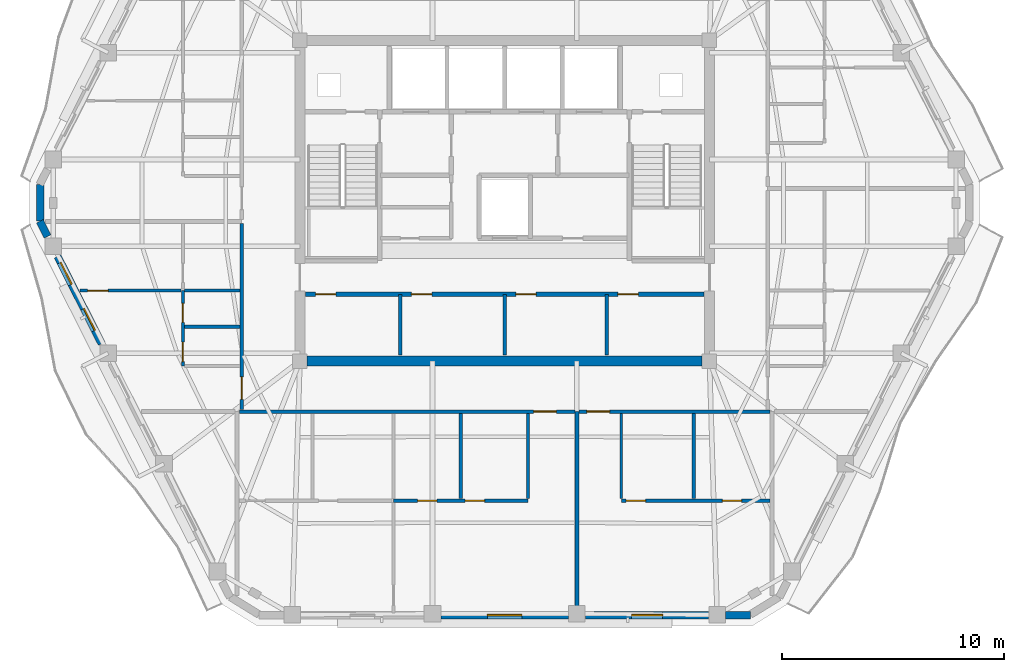
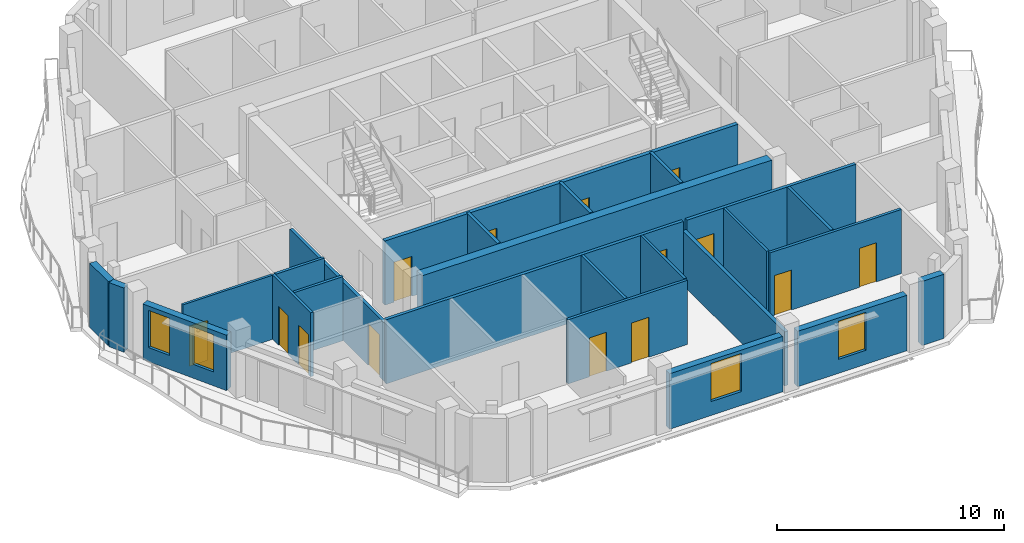
# One storey, part 4 of 11: 25 walls, 14 doors, 4 windows, 18 openings.
"""IFC4 building model written with IfcOpenShell, lengths in metres."""

from ifc_helpers import new_model, si_unit, direction, frame, frame_2d, origin, place, context, subcontext, project, spatial, rectangle, extrude, material, layer, layer_set, type_object, element, fill, save


model = new_model("IFC4")

# Units and contexts
model_context = context("Model", 3, precision=1e-05, world=origin(), true_north=direction((0.0, 1.0)))
body_context = subcontext(model_context, "Body", "Model", "MODEL_VIEW")
ifc_project = project(units=[si_unit("LENGTHUNIT", "METRE"), si_unit("AREAUNIT", "SQUARE_METRE"), si_unit("VOLUMEUNIT", "CUBIC_METRE"), si_unit("PLANEANGLEUNIT", "RADIAN"), si_unit("MASSUNIT", "GRAM", prefix="KILO")], contexts=[model_context])

# Site, building, storey
site_placement = place(None, origin())
site = spatial("IfcSite", under=ifc_project, at=site_placement, CompositionType="ELEMENT")
building_placement = place(site_placement, origin())
building = spatial("IfcBuilding", under=site, at=building_placement, Name="Cinnabar Lancet Tower", CompositionType="ELEMENT")
storey_placement = place(building_placement, frame((0.0, 0.0, 256.199951171875)))
storey = spatial("IfcBuildingStorey", under=building, at=storey_placement, Name="L68", CompositionType="ELEMENT", Elevation=256.199951171875)

# Walls
ifc_material_1 = material(Name="Acoustic twin-stud gypsum partition", Category="gypsum")
ifc_layer_1 = layer(ifc_material_1, 0.159912109375)
ifc_layer_set_1 = layer_set([ifc_layer_1], Name="Acoustic twin-stud gypsum partition")
wall_type_1 = type_object("IfcWallType", Name="ARC-WL-CORR-160", PredefinedType="PARTITIONING", material=ifc_layer_set_1)
for number, where, z_axis, x_axis, name in (
    (1, (27.699951171875, 18.949951171875, 0.0), (0.0, 0.0, 1.0), (0.0, 1.0, 0.0), "CW-SB-2770-L68"),
    (2, (32.39990234375, 18.949951171875, 0.0), (0.0, 0.0, 1.0), (0.0, 1.0, 0.0), "CW-SB-3240-L68"),
    (3, (37.0, 18.949951171875, 0.0), (0.0, 0.0, 1.0), (0.0, 1.0, 0.0), "CW-SB-3700-L68"),
):
    element("IfcWall", number, at=place(storey_placement, frame(where, z_axis=z_axis, x_axis=x_axis)), inside=storey, type_object=wall_type_1, Name=name, PredefinedType="PARTITIONING", context=body_context, shape_type="SweptSolid", body=[
        extrude(rectangle(XDim=2.72998046875, YDim=0.159912109375, at=frame_2d((1.364990234375, 0.0))), origin(), (0.0, 0.0, 1.0), 3.449951171875),
    ])

# Wall, opening, door
wall_1_placement = place(storey_placement, frame((20.445068359375, 16.39990234375, 0.0), z_axis=(0.0, 0.0, 1.0), x_axis=(1.0, 0.0, 0.0)))
wall_1 = element("IfcWall", 4, at=wall_1_placement, inside=storey, type_object=wall_type_1, Name="L68 Unit S01 Corridor Wall", PredefinedType="PARTITIONING", context=body_context, shape_type="SweptSolid", body=[
    extrude(rectangle(XDim=15.114013671875, YDim=0.159912109375, at=frame_2d((7.55712890625, 0.0))), origin(), (0.0, 0.0, 1.0), 3.449951171875),
])
opening_1_placement = place(wall_1_placement, frame((13.259033203125, 0.0, 0.0)))
opening_1 = element("IfcOpeningElement", 5, at=opening_1_placement, cuts=wall_1, Name="Opening UD-01", PredefinedType="OPENING", context=body_context, shape_type="SweptSolid", body=[
    extrude(rectangle(XDim=1.02001953125, YDim=2.25, at=frame_2d((0.510009765625, 1.125))), frame((0.0, 0.08984375, 0.0), z_axis=(0.0, -1.0, 0.0), x_axis=(1.0, 0.0, 0.0)), (0.0, 0.0, 1.0), 0.179931640625),
])
ifc_material_2 = material(Name="Solid timber fire-rated apartment entrance door", Category="wood")
door_type_1 = type_object("IfcDoorType", Name="ARC-DR-UNIT", OperationType="NOTDEFINED", PredefinedType="DOOR", material=ifc_material_2)
door_1_placement = place(opening_1_placement, origin())
door_1 = element("IfcDoor", 6, at=door_1_placement, inside=storey, type_object=door_type_1, Name="DR-L68-S01-ENT", OperationType="SINGLE_SWING_RIGHT", OverallHeight=2.25, OverallWidth=1.02001953125, PredefinedType="DOOR", context=body_context, shape_type="SweptSolid", body=[
    extrude(rectangle(XDim=1.02001953125, YDim=2.25, at=frame_2d((0.510009765625, 1.125))), frame((0.0, 0.02490234375, 0.0), z_axis=(0.0, -1.0, 0.0), x_axis=(1.0, 0.0, 0.0)), (0.0, 0.0, 1.0), 0.050048828125),
])
fill(opening_1, door_1)

wall_2_placement = place(storey_placement, frame((35.7490234375, 16.39990234375, 0.0), z_axis=(0.0, 0.0, 1.0), x_axis=(1.0, 0.0, 0.0)))
wall_2 = element("IfcWall", 7, at=wall_2_placement, inside=storey, type_object=wall_type_1, Name="L68 Unit S02 Corridor Wall", PredefinedType="PARTITIONING", context=body_context, shape_type="SweptSolid", body=[
    extrude(rectangle(XDim=8.60595703125, YDim=0.159912109375, at=frame_2d((4.302978515625, 0.0))), origin(), (0.0, 0.0, 1.0), 3.449951171875),
])
opening_2_placement = place(wall_2_placement, frame((0.35498046875, 0.0, 0.0)))
opening_2 = element("IfcOpeningElement", 8, at=opening_2_placement, cuts=wall_2, Name="Opening UD-01", PredefinedType="OPENING", context=body_context, shape_type="SweptSolid", body=[
    extrude(rectangle(XDim=1.02001953125, YDim=2.25, at=frame_2d((0.510009765625, 1.125))), frame((0.0, 0.08984375, 0.0), z_axis=(0.0, -1.0, 0.0), x_axis=(1.0, 0.0, 0.0)), (0.0, 0.0, 1.0), 0.179931640625),
])
door_2_placement = place(opening_2_placement, origin())
door_2 = element("IfcDoor", 9, at=door_2_placement, inside=storey, type_object=door_type_1, Name="DR-L68-S02-ENT", OperationType="SINGLE_SWING_LEFT", OverallHeight=2.25, OverallWidth=1.02001953125, PredefinedType="DOOR", context=body_context, shape_type="SweptSolid", body=[
    extrude(rectangle(XDim=1.02001953125, YDim=2.25, at=frame_2d((0.510009765625, 1.125))), frame((0.0, 0.02490234375, 0.0), z_axis=(0.0, -1.0, 0.0), x_axis=(1.0, 0.0, 0.0)), (0.0, 0.0, 1.0), 0.050048828125),
])
fill(opening_2, door_2)

wall_3_placement = place(storey_placement, frame((20.550048828125, 16.4951171875, 0.0), z_axis=(0.0, 0.0, 1.0), x_axis=(0.0, 1.0, 0.0)))
wall_3 = element("IfcWall", 10, at=wall_3_placement, inside=storey, type_object=wall_type_1, Name="UW-L68-W01-COR", PredefinedType="PARTITIONING", context=body_context, shape_type="SweptSolid", body=[
    extrude(rectangle(XDim=8.365966796875, YDim=0.159912109375, at=frame_2d((4.18310546875, 0.0))), origin(), (0.0, 0.0, 1.0), 3.136962890625),
])
opening_3_placement = place(wall_3_placement, frame((0.449951171875, 0.0, 0.0)))
opening_3 = element("IfcOpeningElement", 11, at=opening_3_placement, cuts=wall_3, Name="Opening UD-01", PredefinedType="OPENING", context=body_context, shape_type="SweptSolid", body=[
    extrude(rectangle(XDim=1.02001953125, YDim=2.25, at=frame_2d((0.510009765625, 1.125))), frame((0.0, 0.08984375, 0.0), z_axis=(0.0, -1.0, 0.0), x_axis=(1.0, 0.0, 0.0)), (0.0, 0.0, 1.0), 0.179931640625),
])
door_3_placement = place(opening_3_placement, origin())
door_3 = element("IfcDoor", 12, at=door_3_placement, inside=storey, type_object=door_type_1, Name="DR-L68-W01-ENT", OperationType="SINGLE_SWING_RIGHT", OverallHeight=2.25, OverallWidth=1.02001953125, PredefinedType="DOOR", context=body_context, shape_type="SweptSolid", body=[
    extrude(rectangle(XDim=1.02001953125, YDim=2.25, at=frame_2d((0.510009765625, 1.125))), frame((0.0, 0.02490234375, 0.0), z_axis=(0.0, -1.0, 0.0), x_axis=(1.0, 0.0, 0.0)), (0.0, 0.0, 1.0), 0.050048828125),
])
fill(opening_3, door_3)

# Wall
ifc_material_3 = material(Name="Fire-rated twin-frame acoustic drywall", Category="gypsum")
ifc_layer_2 = layer(ifc_material_3, 0.179931640625)
ifc_layer_set_2 = layer_set([ifc_layer_2], Name="Fire-rated twin-frame acoustic drywall")
wall_type_2 = type_object("IfcWallType", Name="ARC-WL-PARTY-180", PredefinedType="PARTITIONING", material=ifc_layer_set_2)
wall_4_placement = place(storey_placement, frame((35.654052734375, 7.405029296875, 0.0), z_axis=(0.0, 0.0, 1.0), x_axis=(0.0, 1.0, 0.0)))
element("IfcWall", 13, at=wall_4_placement, inside=storey, type_object=wall_type_2, Name="PW-L68-SPTY-357", PredefinedType="PARTITIONING", context=body_context, shape_type="SweptSolid", body=[
    extrude(rectangle(XDim=8.994873046875, YDim=0.179931640625, at=frame_2d((4.49755859375, 0.0))), origin(), (0.0, 0.0, 1.0), 2.906982421875),
])

# Wall, openings, doors
ifc_material_4 = material(Name="Autoclaved aerated concrete blockwork", Category="masonry")
ifc_layer_3 = layer(ifc_material_4, 0.199951171875)
ifc_layer_set_3 = layer_set([ifc_layer_3], Name="Autoclaved aerated concrete blockwork")
wall_type_3 = type_object("IfcWallType", Name="ARC-WL-SHAFT-200", PredefinedType="PLUMBINGWALL", material=ifc_layer_set_3)
wall_5_placement = place(storey_placement, frame((23.419921875, 21.679931640625, 0.0), z_axis=(0.0, 0.0, 1.0), x_axis=(1.0, 0.0, 0.0)))
wall_5 = element("IfcWall", 14, at=wall_5_placement, inside=storey, type_object=wall_type_3, Name="CW-SBANDN-L68", PredefinedType="PLUMBINGWALL", context=body_context, shape_type="SweptSolid", body=[
    extrude(rectangle(XDim=17.9599609375, YDim=0.199951171875, at=frame_2d((8.97998046875, 0.0))), origin(), (0.0, 0.0, 1.0), 3.449951171875),
])
opening_4_placement = place(wall_5_placement, frame((0.4599609375, 0.0, 0.0)))
opening_4 = element("IfcOpeningElement", 15, at=opening_4_placement, cuts=wall_5, Name="Opening RD-01", PredefinedType="OPENING", context=body_context, shape_type="SweptSolid", body=[
    extrude(rectangle(XDim=0.919921875, YDim=2.14990234375, at=frame_2d((0.4599609375, 1.074951171875))), frame((0.0, 0.10986328125, 0.0), z_axis=(0.0, -1.0, 0.0), x_axis=(1.0, 0.0, 0.0)), (0.0, 0.0, 1.0), 0.219970703125),
])
opening_5_placement = place(wall_5_placement, frame((4.780029296875, 0.0, 0.0)))
opening_5 = element("IfcOpeningElement", 16, at=opening_5_placement, cuts=wall_5, Name="Opening RD-01", PredefinedType="OPENING", context=body_context, shape_type="SweptSolid", body=[
    extrude(rectangle(XDim=0.919921875, YDim=2.14990234375, at=frame_2d((0.4599609375, 1.074951171875))), frame((0.0, 0.10986328125, 0.0), z_axis=(0.0, -1.0, 0.0), x_axis=(1.0, 0.0, 0.0)), (0.0, 0.0, 1.0), 0.219970703125),
])
opening_6_placement = place(wall_5_placement, frame((9.47998046875, 0.0, 0.0)))
opening_6 = element("IfcOpeningElement", 17, at=opening_6_placement, cuts=wall_5, Name="Opening RD-01", PredefinedType="OPENING", context=body_context, shape_type="SweptSolid", body=[
    extrude(rectangle(XDim=0.919921875, YDim=2.14990234375, at=frame_2d((0.4599609375, 1.074951171875))), frame((0.0, 0.10986328125, 0.0), z_axis=(0.0, -1.0, 0.0), x_axis=(1.0, 0.0, 0.0)), (0.0, 0.0, 1.0), 0.219970703125),
])
opening_7_placement = place(wall_5_placement, frame((14.080078125, 0.0, 0.0)))
opening_7 = element("IfcOpeningElement", 18, at=opening_7_placement, cuts=wall_5, Name="Opening RD-01", PredefinedType="OPENING", context=body_context, shape_type="SweptSolid", body=[
    extrude(rectangle(XDim=0.919921875, YDim=2.14990234375, at=frame_2d((0.4599609375, 1.074951171875))), frame((0.0, 0.10986328125, 0.0), z_axis=(0.0, -1.0, 0.0), x_axis=(1.0, 0.0, 0.0)), (0.0, 0.0, 1.0), 0.219970703125),
])
ifc_material_5 = material(Name="Engineered timber bedroom door", Category="wood")
door_type_2 = type_object("IfcDoorType", Name="ARC-DR-ROOM", OperationType="NOTDEFINED", PredefinedType="DOOR", material=ifc_material_5)
door_4_placement = place(opening_4_placement, origin())
door_4 = element("IfcDoor", 19, at=door_4_placement, inside=storey, type_object=door_type_2, Name="DR-L68-HREC1", OperationType="SINGLE_SWING_LEFT", OverallHeight=2.14990234375, OverallWidth=0.919921875, PredefinedType="DOOR", context=body_context, shape_type="SweptSolid", body=[
    extrude(rectangle(XDim=0.919921875, YDim=2.14990234375, at=frame_2d((0.4599609375, 1.074951171875))), frame((0.0, 0.02490234375, 0.0), z_axis=(0.0, -1.0, 0.0), x_axis=(1.0, 0.0, 0.0)), (0.0, 0.0, 1.0), 0.050048828125),
])
fill(opening_4, door_4)
door_5_placement = place(opening_5_placement, origin())
door_5 = element("IfcDoor", 20, at=door_5_placement, inside=storey, type_object=door_type_2, Name="DR-L68-HREC2", OperationType="SINGLE_SWING_RIGHT", OverallHeight=2.14990234375, OverallWidth=0.919921875, PredefinedType="DOOR", context=body_context, shape_type="SweptSolid", body=[
    extrude(rectangle(XDim=0.919921875, YDim=2.14990234375, at=frame_2d((0.4599609375, 1.074951171875))), frame((0.0, 0.02490234375, 0.0), z_axis=(0.0, -1.0, 0.0), x_axis=(1.0, 0.0, 0.0)), (0.0, 0.0, 1.0), 0.050048828125),
])
fill(opening_5, door_5)
door_6_placement = place(opening_6_placement, origin())
door_6 = element("IfcDoor", 21, at=door_6_placement, inside=storey, type_object=door_type_2, Name="DR-L68-HREC3", OperationType="SINGLE_SWING_LEFT", OverallHeight=2.14990234375, OverallWidth=0.919921875, PredefinedType="DOOR", context=body_context, shape_type="SweptSolid", body=[
    extrude(rectangle(XDim=0.919921875, YDim=2.14990234375, at=frame_2d((0.4599609375, 1.074951171875))), frame((0.0, 0.02490234375, 0.0), z_axis=(0.0, -1.0, 0.0), x_axis=(1.0, 0.0, 0.0)), (0.0, 0.0, 1.0), 0.050048828125),
])
fill(opening_6, door_6)
door_7_placement = place(opening_7_placement, origin())
door_7 = element("IfcDoor", 22, at=door_7_placement, inside=storey, type_object=door_type_2, Name="DR-L68-HREC4", OperationType="SINGLE_SWING_RIGHT", OverallHeight=2.14990234375, OverallWidth=0.919921875, PredefinedType="DOOR", context=body_context, shape_type="SweptSolid", body=[
    extrude(rectangle(XDim=0.919921875, YDim=2.14990234375, at=frame_2d((0.4599609375, 1.074951171875))), frame((0.0, 0.02490234375, 0.0), z_axis=(0.0, -1.0, 0.0), x_axis=(1.0, 0.0, 0.0)), (0.0, 0.0, 1.0), 0.050048828125),
])
fill(opening_7, door_7)

# Walls
ifc_material_6 = material(Name="Gypsum plasterboard stud partition", Category="gypsum")
ifc_layer_4 = layer(ifc_material_6, 0.125)
ifc_layer_set_4 = layer_set([ifc_layer_4], Name="Gypsum plasterboard stud partition")
wall_type_4 = type_object("IfcWallType", Name="ARC-WL-UNIT-125", PredefinedType="PARTITIONING", material=ifc_layer_set_4)
for number, where, z_axis, x_axis, name in (
    (23, (33.4541015625, 12.486083984375, 0.0), (0.0, 0.0, 1.0), (0.0, 1.0, 0.0), "UW-L68-S01-FOYW"),
    (24, (37.654052734375, 12.486083984375, 0.0), (0.0, 0.0, 1.0), (0.0, 1.0, 0.0), "UW-L68-S02-FOYE"),
):
    element("IfcWall", number, at=place(storey_placement, frame(where, z_axis=z_axis, x_axis=x_axis)), inside=storey, type_object=wall_type_4, Name=name, PredefinedType="PARTITIONING", context=body_context, shape_type="SweptSolid", body=[
        extrude(rectangle(XDim=3.828857421875, YDim=0.125, at=frame_2d((1.91455078125, 0.0))), origin(), (0.0, 0.0, 1.0), 3.449951171875),
    ])

# Wall, opening, door
wall_6_placement = place(storey_placement, frame((13.261962890625, 21.85009765625, 0.0), z_axis=(0.0, 0.0, 1.0), x_axis=(1.0, 0.0, 0.0)))
wall_6 = element("IfcWall", 25, at=wall_6_placement, inside=storey, type_object=wall_type_4, Name="UW-L68-W01-MBN", PredefinedType="PARTITIONING", context=body_context, shape_type="SweptSolid", body=[
    extrude(rectangle(XDim=4.56298828125, YDim=0.125, at=frame_2d((2.281494140625, 0.0))), origin(), (0.0, 0.0, 1.0), 3.449951171875),
])
opening_8_placement = place(wall_6_placement, frame((0.35009765625, 0.0, 0.0)))
opening_8 = element("IfcOpeningElement", 26, at=opening_8_placement, cuts=wall_6, Name="Opening RD-01", PredefinedType="OPENING", context=body_context, shape_type="SweptSolid", body=[
    extrude(rectangle(XDim=0.919921875, YDim=2.14990234375, at=frame_2d((0.4599609375, 1.074951171875))), frame((0.0, 0.072509765625, 0.0), z_axis=(0.0, -1.0, 0.0), x_axis=(1.0, 0.0, 0.0)), (0.0, 0.0, 1.0), 0.14501953125),
])
door_8_placement = place(opening_8_placement, origin())
door_8 = element("IfcDoor", 27, at=door_8_placement, inside=storey, type_object=door_type_2, Name="DR-L68-W01-MBD", OperationType="SINGLE_SWING_RIGHT", OverallHeight=2.14990234375, OverallWidth=0.919921875, PredefinedType="DOOR", context=body_context, shape_type="SweptSolid", body=[
    extrude(rectangle(XDim=0.919921875, YDim=2.14990234375, at=frame_2d((0.4599609375, 1.074951171875))), frame((0.0, 0.02490234375, 0.0), z_axis=(0.0, -1.0, 0.0), x_axis=(1.0, 0.0, 0.0)), (0.0, 0.0, 1.0), 0.050048828125),
])
fill(opening_8, door_8)

# Wall, openings, doors
ifc_material_7 = material(Name="Moisture-resistant cement-board plumbing wall", Category="masonry")
ifc_layer_5 = layer(ifc_material_7, 0.139892578125)
ifc_layer_set_5 = layer_set([ifc_layer_5], Name="Moisture-resistant cement-board plumbing wall")
wall_type_5 = type_object("IfcWallType", Name="ARC-WL-WET-140", PredefinedType="PLUMBINGWALL", material=ifc_layer_set_5)
wall_7_placement = place(storey_placement, frame((27.389892578125, 12.381103515625, 0.0), z_axis=(0.0, 0.0, 1.0), x_axis=(1.0, 0.0, 0.0)))
wall_7 = element("IfcWall", 28, at=wall_7_placement, inside=storey, type_object=wall_type_5, Name="UW-L68-S01-SPL", PredefinedType="PLUMBINGWALL", context=body_context, shape_type="SweptSolid", body=[
    extrude(rectangle(XDim=6.064208984375, YDim=0.139892578125, at=frame_2d((3.0322265625, 0.0))), origin(), (0.0, 0.0, 1.0), 3.449951171875),
])
opening_9_placement = place(wall_7_placement, frame((1.091064453125, 0.0, 0.0)))
opening_9 = element("IfcOpeningElement", 29, at=opening_9_placement, cuts=wall_7, Name="Opening BD-01", PredefinedType="OPENING", context=body_context, shape_type="SweptSolid", body=[
    extrude(rectangle(XDim=0.860107421875, YDim=2.10009765625, at=frame_2d((0.43017578125, 1.050048828125))), frame((0.0, 0.079833984375, 0.0), z_axis=(0.0, -1.0, 0.0), x_axis=(1.0, 0.0, 0.0)), (0.0, 0.0, 1.0), 0.159912109375),
])
opening_10_placement = place(wall_7_placement, frame((3.23193359375, 0.0, 0.0)))
opening_10 = element("IfcOpeningElement", 30, at=opening_10_placement, cuts=wall_7, Name="Opening RD-02", PredefinedType="OPENING", context=body_context, shape_type="SweptSolid", body=[
    extrude(rectangle(XDim=0.8798828125, YDim=2.14990234375, at=frame_2d((0.43994140625, 1.074951171875))), frame((0.0, 0.079833984375, 0.0), z_axis=(0.0, -1.0, 0.0), x_axis=(1.0, 0.0, 0.0)), (0.0, 0.0, 1.0), 0.159912109375),
])
ifc_material_8 = material(Name="Moisture-resistant timber bathroom door", Category="wood")
door_type_3 = type_object("IfcDoorType", Name="ARC-DR-BATH", OperationType="NOTDEFINED", PredefinedType="DOOR", material=ifc_material_8)
door_9_placement = place(opening_9_placement, origin())
door_9 = element("IfcDoor", 31, at=door_9_placement, inside=storey, type_object=door_type_3, Name="DR-L68-S01-BTH", OperationType="SINGLE_SWING_LEFT", OverallHeight=2.10009765625, OverallWidth=0.860107421875, PredefinedType="DOOR", context=body_context, shape_type="SweptSolid", body=[
    extrude(rectangle(XDim=0.860107421875, YDim=2.10009765625, at=frame_2d((0.43017578125, 1.050048828125))), frame((0.0, 0.02490234375, 0.0), z_axis=(0.0, -1.0, 0.0), x_axis=(1.0, 0.0, 0.0)), (0.0, 0.0, 1.0), 0.050048828125),
])
fill(opening_9, door_9)
ifc_material_9 = material(Name="Engineered timber study door", Category="wood")
door_type_4 = type_object("IfcDoorType", Name="ARC-DR-STUDY", OperationType="NOTDEFINED", PredefinedType="DOOR", material=ifc_material_9)
door_10_placement = place(opening_10_placement, origin())
door_10 = element("IfcDoor", 32, at=door_10_placement, inside=storey, type_object=door_type_4, Name="DR-L68-S01-KIT", OperationType="SINGLE_SWING_RIGHT", OverallHeight=2.14990234375, OverallWidth=0.8798828125, PredefinedType="DOOR", context=body_context, shape_type="SweptSolid", body=[
    extrude(rectangle(XDim=0.8798828125, YDim=2.14990234375, at=frame_2d((0.43994140625, 1.074951171875))), frame((0.0, 0.02490234375, 0.0), z_axis=(0.0, -1.0, 0.0), x_axis=(1.0, 0.0, 0.0)), (0.0, 0.0, 1.0), 0.050048828125),
])
fill(opening_10, door_10)

# Wall
wall_8_placement = place(storey_placement, frame((30.422119140625, 12.486083984375, 0.0), z_axis=(0.0, 0.0, 1.0), x_axis=(0.0, 1.0, 0.0)))
element("IfcWall", 33, at=wall_8_placement, inside=storey, type_object=wall_type_5, Name="UW-L68-S01-KBD", PredefinedType="PLUMBINGWALL", context=body_context, shape_type="SweptSolid", body=[
    extrude(rectangle(XDim=3.828857421875, YDim=0.139892578125, at=frame_2d((1.91455078125, 0.0))), origin(), (0.0, 0.0, 1.0), 3.449951171875),
])

# Wall, openings, doors
wall_9_placement = place(storey_placement, frame((37.654052734375, 12.381103515625, 0.0), z_axis=(0.0, 0.0, 1.0), x_axis=(1.0, 0.0, 0.0)))
wall_9 = element("IfcWall", 34, at=wall_9_placement, inside=storey, type_object=wall_type_5, Name="UW-L68-S02-SPL", PredefinedType="PLUMBINGWALL", context=body_context, shape_type="SweptSolid", body=[
    extrude(rectangle(XDim=6.700927734375, YDim=0.139892578125, at=frame_2d((3.3505859375, 0.0))), origin(), (0.0, 0.0, 1.0), 3.449951171875),
])
opening_11_placement = place(wall_9_placement, frame((4.555908203125, 0.0, 0.0)))
opening_11 = element("IfcOpeningElement", 35, at=opening_11_placement, cuts=wall_9, Name="Opening BD-01", PredefinedType="OPENING", context=body_context, shape_type="SweptSolid", body=[
    extrude(rectangle(XDim=0.860107421875, YDim=2.10009765625, at=frame_2d((0.43017578125, 1.050048828125))), frame((0.0, 0.079833984375, 0.0), z_axis=(0.0, -1.0, 0.0), x_axis=(1.0, 0.0, 0.0)), (0.0, 0.0, 1.0), 0.159912109375),
])
opening_12_placement = place(wall_9_placement, frame((0.219970703125, 0.0, 0.0)))
opening_12 = element("IfcOpeningElement", 36, at=opening_12_placement, cuts=wall_9, Name="Opening RD-02", PredefinedType="OPENING", context=body_context, shape_type="SweptSolid", body=[
    extrude(rectangle(XDim=0.8798828125, YDim=2.14990234375, at=frame_2d((0.43994140625, 1.074951171875))), frame((0.0, 0.079833984375, 0.0), z_axis=(0.0, -1.0, 0.0), x_axis=(1.0, 0.0, 0.0)), (0.0, 0.0, 1.0), 0.159912109375),
])
door_11_placement = place(opening_11_placement, origin())
door_11 = element("IfcDoor", 37, at=door_11_placement, inside=storey, type_object=door_type_3, Name="DR-L68-S02-BTH", OperationType="SINGLE_SWING_LEFT", OverallHeight=2.10009765625, OverallWidth=0.860107421875, PredefinedType="DOOR", context=body_context, shape_type="SweptSolid", body=[
    extrude(rectangle(XDim=0.860107421875, YDim=2.10009765625, at=frame_2d((0.43017578125, 1.050048828125))), frame((0.0, 0.02490234375, 0.0), z_axis=(0.0, -1.0, 0.0), x_axis=(1.0, 0.0, 0.0)), (0.0, 0.0, 1.0), 0.050048828125),
])
fill(opening_11, door_11)
door_12_placement = place(opening_12_placement, origin())
door_12 = element("IfcDoor", 38, at=door_12_placement, inside=storey, type_object=door_type_4, Name="DR-L68-S02-KIT", OperationType="SINGLE_SWING_RIGHT", OverallHeight=2.14990234375, OverallWidth=0.8798828125, PredefinedType="DOOR", context=body_context, shape_type="SweptSolid", body=[
    extrude(rectangle(XDim=0.8798828125, YDim=2.14990234375, at=frame_2d((0.43994140625, 1.074951171875))), frame((0.0, 0.02490234375, 0.0), z_axis=(0.0, -1.0, 0.0), x_axis=(1.0, 0.0, 0.0)), (0.0, 0.0, 1.0), 0.050048828125),
])
fill(opening_12, door_12)

# Wall
wall_10_placement = place(storey_placement, frame((40.916015625, 12.486083984375, 0.0), z_axis=(0.0, 0.0, 1.0), x_axis=(0.0, 1.0, 0.0)))
element("IfcWall", 39, at=wall_10_placement, inside=storey, type_object=wall_type_5, Name="UW-L68-S02-KDV", PredefinedType="PLUMBINGWALL", context=body_context, shape_type="SweptSolid", body=[
    extrude(rectangle(XDim=3.828857421875, YDim=0.139892578125, at=frame_2d((1.91455078125, 0.0))), origin(), (0.0, 0.0, 1.0), 3.449951171875),
])

# Wall, openings, doors
wall_11_placement = place(storey_placement, frame((17.89990234375, 18.449951171875, 0.0), z_axis=(0.0, 0.0, 1.0), x_axis=(0.0, 1.0, 0.0)))
wall_11 = element("IfcWall", 40, at=wall_11_placement, inside=storey, type_object=wall_type_5, Name="UW-L68-W01-SPL", PredefinedType="PLUMBINGWALL", context=body_context, shape_type="SweptSolid", body=[
    extrude(rectangle(XDim=3.400146484375, YDim=0.139892578125, at=frame_2d((1.7001953125, 0.0))), origin(), (0.0, 0.0, 1.0), 3.449951171875),
])
opening_13_placement = place(wall_11_placement, frame((0.199951171875, 0.0, 0.0)))
opening_13 = element("IfcOpeningElement", 41, at=opening_13_placement, cuts=wall_11, Name="Opening RD-02", PredefinedType="OPENING", context=body_context, shape_type="SweptSolid", body=[
    extrude(rectangle(XDim=0.8798828125, YDim=2.14990234375, at=frame_2d((0.43994140625, 1.074951171875))), frame((0.0, 0.079833984375, 0.0), z_axis=(0.0, -1.0, 0.0), x_axis=(1.0, 0.0, 0.0)), (0.0, 0.0, 1.0), 0.159912109375),
])
opening_14_placement = place(wall_11_placement, frame((1.968017578125, 0.0, 0.0)))
opening_14 = element("IfcOpeningElement", 42, at=opening_14_placement, cuts=wall_11, Name="Opening BD-01", PredefinedType="OPENING", context=body_context, shape_type="SweptSolid", body=[
    extrude(rectangle(XDim=0.860107421875, YDim=2.10009765625, at=frame_2d((0.43017578125, 1.050048828125))), frame((0.0, 0.079833984375, 0.0), z_axis=(0.0, -1.0, 0.0), x_axis=(1.0, 0.0, 0.0)), (0.0, 0.0, 1.0), 0.159912109375),
])
door_13_placement = place(opening_14_placement, origin())
door_13 = element("IfcDoor", 43, at=door_13_placement, inside=storey, type_object=door_type_3, Name="DR-L68-W01-BTH", OperationType="SINGLE_SWING_RIGHT", OverallHeight=2.10009765625, OverallWidth=0.860107421875, PredefinedType="DOOR", context=body_context, shape_type="SweptSolid", body=[
    extrude(rectangle(XDim=0.860107421875, YDim=2.10009765625, at=frame_2d((0.43017578125, 1.050048828125))), frame((0.0, 0.02490234375, 0.0), z_axis=(0.0, -1.0, 0.0), x_axis=(1.0, 0.0, 0.0)), (0.0, 0.0, 1.0), 0.050048828125),
])
fill(opening_14, door_13)
door_14_placement = place(opening_13_placement, origin())
door_14 = element("IfcDoor", 44, at=door_14_placement, inside=storey, type_object=door_type_4, Name="DR-L68-W01-KIT", OperationType="SINGLE_SWING_LEFT", OverallHeight=2.14990234375, OverallWidth=0.8798828125, PredefinedType="DOOR", context=body_context, shape_type="SweptSolid", body=[
    extrude(rectangle(XDim=0.8798828125, YDim=2.14990234375, at=frame_2d((0.43994140625, 1.074951171875))), frame((0.0, 0.02490234375, 0.0), z_axis=(0.0, -1.0, 0.0), x_axis=(1.0, 0.0, 0.0)), (0.0, 0.0, 1.0), 0.050048828125),
])
fill(opening_13, door_14)

# Walls
for number, where, z_axis, x_axis, name in (
    (45, (17.985107421875, 21.85009765625, 0.0), (0.0, 0.0, 1.0), (1.0, 0.0, 0.0), "UW-L68-W01-ENSN"),
    (46, (17.985107421875, 20.218017578125, 0.0), (0.0, 0.0, 1.0), (1.0, 0.0, 0.0), "UW-L68-W01-KDV"),
):
    element("IfcWall", number, at=place(storey_placement, frame(where, z_axis=z_axis, x_axis=x_axis)), inside=storey, type_object=wall_type_5, Name=name, PredefinedType="PLUMBINGWALL", context=body_context, shape_type="SweptSolid", body=[
        extrude(rectangle(XDim=2.47998046875, YDim=0.139892578125, at=frame_2d((1.239990234375, 0.0))), origin(), (0.0, 0.0, 1.0), 3.449951171875),
    ])
ifc_material_10 = material(Name="Cinnabar red clay brick", Category="masonry")
ifc_layer_6 = layer(ifc_material_10, 0.340087890625)
ifc_layer_set_6 = layer_set([ifc_layer_6], Name="Cinnabar red clay brick")
wall_type_6 = type_object("IfcWallType", Name="ENV-WL-BRK-RED-340", PredefinedType="STANDARD", material=ifc_layer_set_6)
wall_12_placement = place(storey_placement, frame((11.47705078125, 26.6201171875, 0.0), z_axis=(0.0, 0.0, 1.0), x_axis=(0.0, -1.0, 0.0)))
element("IfcWall", 47, at=wall_12_placement, inside=storey, type_object=wall_type_6, Name="L68 Chamfered Corner Brick Pier 6.1", PredefinedType="STANDARD", context=body_context, shape_type="SweptSolid", body=[
    extrude(rectangle(XDim=1.64013671875, YDim=0.340087890625, at=frame_2d((0.820068359375, 0.0))), origin(), (0.0, 0.0, 1.0), 3.449951171875),
])

# Wall, opening, window
wall_13_placement = place(storey_placement, frame((29.52490234375, 7.22998046875, 0.0), z_axis=(0.0, 0.0, 1.0), x_axis=(1.0, 0.0, 0.0)))
wall_13 = element("IfcWall", 48, at=wall_13_placement, inside=storey, type_object=wall_type_6, Name="L68 Face 1 Masonry Bay Wall 3", PredefinedType="STANDARD", context=body_context, shape_type="SweptSolid", body=[
    extrude(rectangle(XDim=5.75, YDim=0.340087890625, at=frame_2d((2.875, 0.0))), origin(), (0.0, 0.0, 1.0), 2.983154296875),
])
opening_15_placement = place(wall_13_placement, frame((2.10009765625, 0.0, 0.75)))
opening_15 = element("IfcOpeningElement", 49, at=opening_15_placement, cuts=wall_13, Name="Opening WN-01", PredefinedType="OPENING", context=body_context, shape_type="SweptSolid", body=[
    extrude(rectangle(XDim=1.550048828125, YDim=2.050048828125, at=frame_2d((0.77490234375, 1.02490234375))), frame((0.0, 0.179931640625, 0.0), z_axis=(0.0, -1.0, 0.0), x_axis=(1.0, 0.0, 0.0)), (0.0, 0.0, 1.0), 0.360107421875),
])
ifc_material_11 = material(Name="Thermally broken bronze-anodized aluminium low-E double glazing", Category="aluminium")
window_type_1 = type_object("IfcWindowType", Name="ENV-WN-LANCET-1550", PartitioningType="SINGLE_PANEL", PredefinedType="WINDOW", material=ifc_material_11)
window_1_placement = place(opening_15_placement, origin())
window_1 = element("IfcWindow", 50, at=window_1_placement, inside=storey, type_object=window_type_1, Name="L68 Face 1 Gothic Lancet Window 3", OverallHeight=2.050048828125, OverallWidth=1.550048828125, PartitioningType="SINGLE_PANEL", PredefinedType="WINDOW", context=body_context, shape_type="SweptSolid", body=[
    extrude(rectangle(XDim=1.550048828125, YDim=2.050048828125, at=frame_2d((0.77490234375, 1.02490234375))), frame((0.0, 0.030029296875, 0.0), z_axis=(0.0, -1.0, 0.0), x_axis=(1.0, 0.0, 0.0)), (0.0, 0.0, 1.0), 0.06005859375),
])
fill(opening_15, window_1)

wall_14_placement = place(storey_placement, frame((36.032958984375, 7.22998046875, 0.0), z_axis=(0.0, 0.0, 1.0), x_axis=(1.0, 0.0, 0.0)))
wall_14 = element("IfcWall", 51, at=wall_14_placement, inside=storey, type_object=wall_type_6, Name="L68 Face 1 Masonry Bay Wall 4", PredefinedType="STANDARD", context=body_context, shape_type="SweptSolid", body=[
    extrude(rectangle(XDim=5.56005859375, YDim=0.340087890625, at=frame_2d((2.780029296875, 0.0))), origin(), (0.0, 0.0, 1.0), 2.983154296875),
])
opening_16_placement = place(wall_14_placement, frame((2.080078125, 0.0, 0.75)))
opening_16 = element("IfcOpeningElement", 52, at=opening_16_placement, cuts=wall_14, Name="Opening WN-02", PredefinedType="OPENING", context=body_context, shape_type="SweptSolid", body=[
    extrude(rectangle(XDim=1.39990234375, YDim=2.050048828125, at=frame_2d((0.699951171875, 1.02490234375))), frame((0.0, 0.179931640625, 0.0), z_axis=(0.0, -1.0, 0.0), x_axis=(1.0, 0.0, 0.0)), (0.0, 0.0, 1.0), 0.360107421875),
])
ifc_material_12 = material(Name="Thermally broken bronze-anodized aluminium low-E double glazing", Category="aluminium")
window_type_2 = type_object("IfcWindowType", Name="ENV-WN-LANCET-1400", PartitioningType="SINGLE_PANEL", PredefinedType="WINDOW", material=ifc_material_12)
window_2_placement = place(opening_16_placement, origin())
window_2 = element("IfcWindow", 53, at=window_2_placement, inside=storey, type_object=window_type_2, Name="L68 Face 1 Gothic Lancet Window 4", OverallHeight=2.050048828125, OverallWidth=1.39990234375, PartitioningType="SINGLE_PANEL", PredefinedType="WINDOW", context=body_context, shape_type="SweptSolid", body=[
    extrude(rectangle(XDim=1.39990234375, YDim=2.050048828125, at=frame_2d((0.699951171875, 1.02490234375))), frame((0.0, 0.030029296875, 0.0), z_axis=(0.0, -1.0, 0.0), x_axis=(1.0, 0.0, 0.0)), (0.0, 0.0, 1.0), 0.06005859375),
])
fill(opening_16, window_2)

# Walls
wall_15_placement = place(storey_placement, frame((42.35107421875, 7.22998046875, 0.0), z_axis=(0.0, 0.0, 1.0), x_axis=(1.0, 0.0, 0.0)))
element("IfcWall", 54, at=wall_15_placement, inside=storey, type_object=wall_type_6, Name="L68 Face 1 Masonry Bay Wall 5", PredefinedType="STANDARD", context=body_context, shape_type="SweptSolid", body=[
    extrude(rectangle(XDim=1.123046875, YDim=0.340087890625, at=frame_2d((0.5615234375, 0.0))), origin(), (0.0, 0.0, 1.0), 3.449951171875),
])
wall_16_placement = place(storey_placement, frame((11.4560546875, 24.972900390625, 0.0), z_axis=(0.0, 0.0, 1.0), x_axis=(0.45075284655, -0.892648795063, 0.0)))
element("IfcWall", 55, at=wall_16_placement, inside=storey, type_object=wall_type_6, Name="L68 Face 6 Masonry Bay Wall 1", PredefinedType="STANDARD", context=body_context, shape_type="SweptSolid", body=[
    extrude(rectangle(XDim=0.771728515625, YDim=0.340087890625, at=frame_2d((0.3857421875, 0.0))), origin(), (0.0, 0.0, 1.0), 3.449951171875),
])

# Wall, openings, windows
wall_17_placement = place(storey_placement, frame((12.257080078125, 23.388916015625, 0.0), z_axis=(0.0, 0.0, 1.0), x_axis=(0.45130817501, -0.892368158984, 0.0)))
wall_17 = element("IfcWall", 56, at=wall_17_placement, inside=storey, type_object=wall_type_6, Name="L68 Face 6 Masonry Bay Wall 2", PredefinedType="STANDARD", context=body_context, shape_type="SweptSolid", body=[
    extrude(rectangle(XDim=4.4072265625, YDim=0.340087890625, at=frame_2d((2.20361328125, 0.0))), origin(), (0.0, 0.0, 1.0), 2.983154296875),
])
opening_17_placement = place(wall_17_placement, frame((0.302978515625, 0.0, 0.75)))
opening_17 = element("IfcOpeningElement", 57, at=opening_17_placement, cuts=wall_17, Name="Opening WN-04", PredefinedType="OPENING", context=body_context, shape_type="SweptSolid", body=[
    extrude(rectangle(XDim=1.10009765625, YDim=2.0, at=frame_2d((0.550048828125, 1.0))), frame((0.0, 0.179931640625, 0.0), z_axis=(0.0, -1.0, 0.0), x_axis=(1.0, 0.0, 0.0)), (0.0, 0.0, 1.0), 0.360107421875),
])
opening_18_placement = place(wall_17_placement, frame((2.626953125, 0.0, 0.75)))
opening_18 = element("IfcOpeningElement", 58, at=opening_18_placement, cuts=wall_17, Name="Opening WN-04", PredefinedType="OPENING", context=body_context, shape_type="SweptSolid", body=[
    extrude(rectangle(XDim=1.10009765625, YDim=2.0, at=frame_2d((0.550048828125, 1.0))), frame((0.0, 0.179931640625, 0.0), z_axis=(0.0, -1.0, 0.0), x_axis=(1.0, 0.0, 0.0)), (0.0, 0.0, 1.0), 0.360107421875),
])
ifc_material_13 = material(Name="Thermally broken bronze-anodized aluminium tall lancet window", Category="aluminium")
window_type_3 = type_object("IfcWindowType", Name="ENV-WN-LANCET-1100", PartitioningType="SINGLE_PANEL", PredefinedType="WINDOW", material=ifc_material_13)
window_3_placement = place(opening_17_placement, origin())
window_3 = element("IfcWindow", 59, at=window_3_placement, inside=storey, type_object=window_type_3, Name="L68 Face 6 Gothic Lancet Window 2", OverallHeight=2.0, OverallWidth=1.10009765625, PartitioningType="SINGLE_PANEL", PredefinedType="WINDOW", context=body_context, shape_type="SweptSolid", body=[
    extrude(rectangle(XDim=1.10009765625, YDim=2.0, at=frame_2d((0.550048828125, 1.0))), frame((0.0, 0.030029296875, 0.0), z_axis=(0.0, -1.0, 0.0), x_axis=(1.0, 0.0, 0.0)), (0.0, 0.0, 1.0), 0.06005859375),
])
fill(opening_17, window_3)
window_4_placement = place(opening_18_placement, origin())
window_4 = element("IfcWindow", 60, at=window_4_placement, inside=storey, type_object=window_type_3, Name="L68 Split-Bay Gothic Lancet Window 248", OverallHeight=2.0, OverallWidth=1.10009765625, PartitioningType="SINGLE_PANEL", PredefinedType="WINDOW", context=body_context, shape_type="SweptSolid", body=[
    extrude(rectangle(XDim=1.10009765625, YDim=2.0, at=frame_2d((0.550048828125, 1.0))), frame((0.0, 0.030029296875, 0.0), z_axis=(0.0, -1.0, 0.0), x_axis=(1.0, 0.0, 0.0)), (0.0, 0.0, 1.0), 0.06005859375),
])
fill(opening_18, window_4)

# Wall
ifc_material_14 = material(Name="Concrete C50/60", Category="concrete")
ifc_layer_7 = layer(ifc_material_14, 0.449951171875)
ifc_layer_set_7 = layer_set([ifc_layer_7], Name="Concrete C50/60")
wall_type_7 = type_object("IfcWallType", Name="STR-WL-CORE-450", PredefinedType="SHEAR", material=ifc_layer_set_7)
wall_18_placement = place(storey_placement, frame((23.5, 18.675048828125, 0.0), z_axis=(0.0, 0.0, 1.0), x_axis=(1.0, 0.0, 0.0)))
element("IfcWall", 61, at=wall_18_placement, inside=storey, type_object=wall_type_7, Name="L68 Core Shear Wall S", PredefinedType="SHEAR", context=body_context, shape_type="SweptSolid", body=[
    extrude(rectangle(XDim=17.800048828125, YDim=0.449951171875, at=frame_2d((8.89990234375, 0.0))), origin(), (0.0, 0.0, 1.0), 3.449951171875),
])

save(model, "model.ifc")
